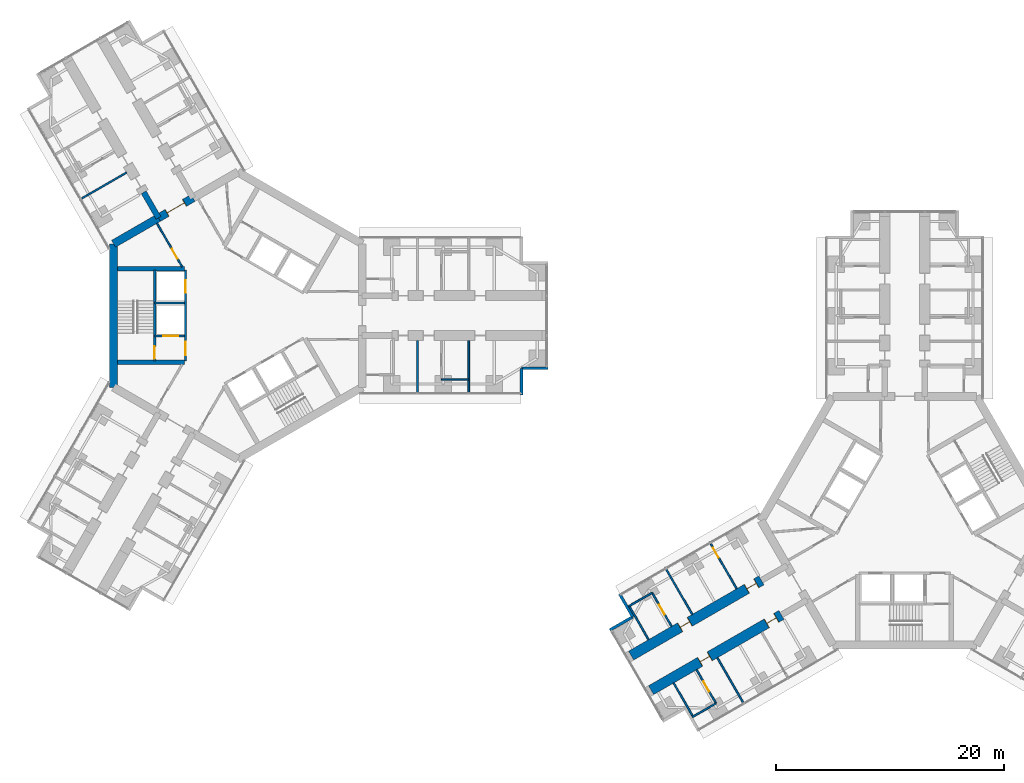
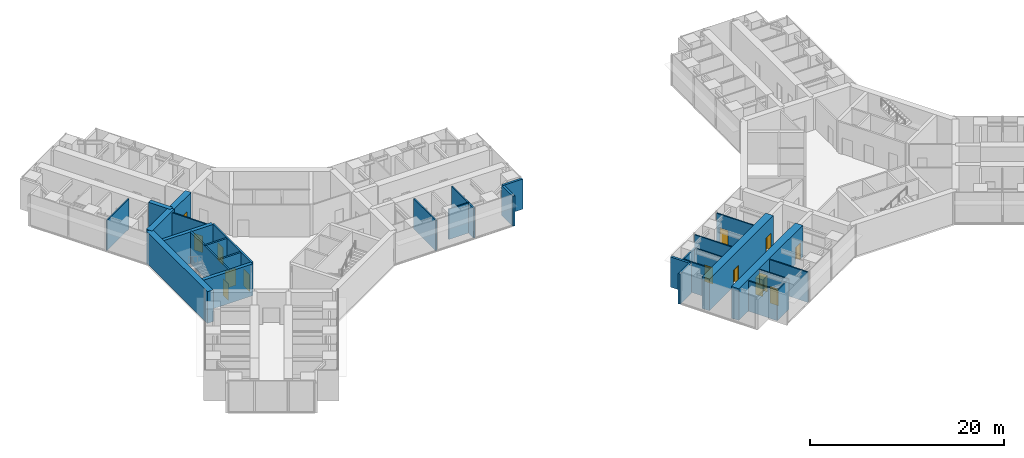
# One storey, part 17 of 24: 30 walls, 13 doors, 13 openings.
"""IFC4 building model written with IfcOpenShell, lengths in metres."""

from ifc_helpers import new_model, si_unit, direction, frame, frame_2d, origin, place, context, subcontext, project, spatial, rectangle, extrude, material, layer, layer_set, type_object, element, fill, save


model = new_model("IFC4")

# Units and contexts
model_context = context("Model", 3, precision=1e-05, world=origin(), true_north=direction((0.0, 1.0)))
body_context = subcontext(model_context, "Body", "Model", "MODEL_VIEW")
ifc_project = project(units=[si_unit("LENGTHUNIT", "METRE"), si_unit("AREAUNIT", "SQUARE_METRE"), si_unit("VOLUMEUNIT", "CUBIC_METRE"), si_unit("PLANEANGLEUNIT", "RADIAN"), si_unit("MASSUNIT", "GRAM", prefix="KILO")], contexts=[model_context])

# Site, building, storey
site_placement = place(None, origin())
site = spatial("IfcSite", under=ifc_project, at=site_placement, CompositionType="ELEMENT")
building_placement = place(site_placement, origin())
building = spatial("IfcBuilding", under=site, at=building_placement, Name="Upepo Twin Towers", CompositionType="ELEMENT")
storey_placement = place(building_placement, frame((0.0, 0.0, 68.5)))
storey = spatial("IfcBuildingStorey", under=building, at=storey_placement, Name="L16", CompositionType="ELEMENT", Elevation=68.5)

# Wall
ifc_material_1 = material(Name="Concrete C60/75", Category="concrete")
ifc_layer_1 = layer(ifc_material_1, 0.5)
ifc_layer_set_1 = layer_set([ifc_layer_1], Name="Concrete C60/75")
wall_type_1 = type_object("IfcWallType", Name="Buttress wall 500 RC", PredefinedType="SHEAR", material=ifc_layer_set_1)
wall_1_placement = place(storey_placement, frame((-6.9697265625, 8.57177734375, 0.0), z_axis=(0.0, 0.0, 1.0), x_axis=(-0.499988811324, 0.866031863473, 0.0)))
element("IfcWall", 1, at=wall_1_placement, inside=storey, type_object=wall_type_1, Name="T1 wing B buttress wall L", PredefinedType="SHEAR", context=body_context, shape_type="SweptSolid", body=[
    extrude(rectangle(XDim=2.591796875, YDim=0.5, at=frame_2d((1.2958984375, 0.0))), origin(), (0.0, 0.0, 1.0), 4.0),
])

# Wall, openings, doors
ifc_material_2 = material(Name="Concrete C60/75", Category="concrete")
ifc_layer_2 = layer(ifc_material_2, 0.89990234375)
ifc_layer_set_2 = layer_set([ifc_layer_2], Name="Concrete C60/75")
wall_type_2 = type_object("IfcWallType", Name="Buttress wall 900 RC", PredefinedType="SHEAR", material=ifc_layer_set_2)
wall_2_placement = place(storey_placement, frame((47.68359375, -26.265625, 0.0), z_axis=(0.0, 0.0, 1.0), x_axis=(-0.866027579429, -0.499996231654, 0.0)))
wall_2 = element("IfcWall", 2, at=wall_2_placement, inside=storey, type_object=wall_type_2, Name="T2 wing B buttress wall L part 2", PredefinedType="SHEAR", context=body_context, shape_type="SweptSolid", body=[
    extrude(rectangle(XDim=13.19970703125, YDim=0.89990234375, at=frame_2d((6.599853515625, 0.0))), origin(), (0.0, 0.0, 1.0), 4.0),
])
opening_1_placement = place(wall_2_placement, frame((0.5, 0.0, 0.0)))
opening_1 = element("IfcOpeningElement", 3, at=opening_1_placement, cuts=wall_2, Name="Opening D1", PredefinedType="OPENING", context=body_context, shape_type="SweptSolid", body=[
    extrude(rectangle(XDim=1.0, YDim=2.10009765625, at=frame_2d((0.5, 1.050048828125))), frame((0.0, 0.4599609375, 0.0), z_axis=(0.0, -1.0, 0.0), x_axis=(1.0, 0.0, 0.0)), (0.0, 0.0, 1.0), 0.919921875),
])
opening_2_placement = place(wall_2_placement, frame((7.25, 0.0, 0.0)))
opening_2 = element("IfcOpeningElement", 4, at=opening_2_placement, cuts=wall_2, Name="Opening D1", PredefinedType="OPENING", context=body_context, shape_type="SweptSolid", body=[
    extrude(rectangle(XDim=1.0, YDim=2.10009765625, at=frame_2d((0.5, 1.050048828125))), frame((0.0, 0.4599609375, 0.0), z_axis=(0.0, -1.0, 0.0), x_axis=(1.0, 0.0, 0.0)), (0.0, 0.0, 1.0), 0.919921875),
])
ifc_material_3 = material(Name="Timber doorset", Category="wood")
door_type_1 = type_object("IfcDoorType", Name="Room door 1000 FD30", OperationType="SINGLE_SWING_LEFT", PredefinedType="DOOR", material=ifc_material_3)
door_1_placement = place(opening_1_placement, origin())
door_1 = element("IfcDoor", 5, at=door_1_placement, inside=storey, type_object=door_type_1, Name="T2 L16 tutorial room door", OperationType="SINGLE_SWING_LEFT", OverallHeight=2.10009765625, OverallWidth=1.0, PredefinedType="DOOR", context=body_context, shape_type="SweptSolid", body=[
    extrude(rectangle(XDim=0.92, YDim=2.06009765625, at=frame_2d((0.5, 1.030029296875))), frame((0.0, 0.02490234375, 0.0), z_axis=(0.0, -1.0, 0.0), x_axis=(1.0, 0.0, 0.0)), (0.0, 0.0, 1.0), 0.050048828125),
    extrude(rectangle(XDim=0.04, YDim=2.10009765625, at=frame_2d((0.02001953125, 1.050048828125))), frame((0.0, 0.44970703125, 0.0), z_axis=(0.0, -1.0, 0.0), x_axis=(1.0, 0.0, 0.0)), (0.0, 0.0, 1.0), 0.8994140625),
    extrude(rectangle(XDim=0.04, YDim=2.10009765625, at=frame_2d((0.97998046875, 1.050048828125))), frame((0.0, 0.44970703125, 0.0), z_axis=(0.0, -1.0, 0.0), x_axis=(1.0, 0.0, 0.0)), (0.0, 0.0, 1.0), 0.8994140625),
    extrude(rectangle(XDim=0.92, YDim=0.04, at=frame_2d((0.5, 2.080078125))), frame((0.0, 0.44970703125, 0.0), z_axis=(0.0, -1.0, 0.0), x_axis=(1.0, 0.0, 0.0)), (0.0, 0.0, 1.0), 0.8994140625),
])
fill(opening_1, door_1)
door_2_placement = place(opening_2_placement, origin())
door_2 = element("IfcDoor", 6, at=door_2_placement, inside=storey, type_object=door_type_1, Name="T2 L16 seminar room door", OperationType="SINGLE_SWING_RIGHT", OverallHeight=2.10009765625, OverallWidth=1.0, PredefinedType="DOOR", context=body_context, shape_type="SweptSolid", body=[
    extrude(rectangle(XDim=0.92, YDim=2.06009765625, at=frame_2d((0.5, 1.030029296875))), frame((0.0, 0.02490234375, 0.0), z_axis=(0.0, -1.0, 0.0), x_axis=(1.0, 0.0, 0.0)), (0.0, 0.0, 1.0), 0.050048828125),
    extrude(rectangle(XDim=0.04, YDim=2.10009765625, at=frame_2d((0.02001953125, 1.050048828125))), frame((0.0, 0.44970703125, 0.0), z_axis=(0.0, -1.0, 0.0), x_axis=(1.0, 0.0, 0.0)), (0.0, 0.0, 1.0), 0.8994140625),
    extrude(rectangle(XDim=0.04, YDim=2.10009765625, at=frame_2d((0.97998046875, 1.050048828125))), frame((0.0, 0.44970703125, 0.0), z_axis=(0.0, -1.0, 0.0), x_axis=(1.0, 0.0, 0.0)), (0.0, 0.0, 1.0), 0.8994140625),
    extrude(rectangle(XDim=0.92, YDim=0.04, at=frame_2d((0.5, 2.080078125))), frame((0.0, 0.44970703125, 0.0), z_axis=(0.0, -1.0, 0.0), x_axis=(1.0, 0.0, 0.0)), (0.0, 0.0, 1.0), 0.8994140625),
])
fill(opening_2, door_2)

wall_3_placement = place(storey_placement, frame((45.93359375, -23.234375, 0.0), z_axis=(0.0, 0.0, 1.0), x_axis=(-0.866019570528, -0.500010103361, 0.0)))
wall_3 = element("IfcWall", 7, at=wall_3_placement, inside=storey, type_object=wall_type_2, Name="T2 wing B buttress wall R part 2", PredefinedType="SHEAR", context=body_context, shape_type="SweptSolid", body=[
    extrude(rectangle(XDim=13.199951171875, YDim=0.89990234375, at=frame_2d((6.60009765625, 0.0))), origin(), (0.0, 0.0, 1.0), 4.0),
])
opening_3_placement = place(wall_3_placement, frame((0.5, 0.0, 0.0)))
opening_3 = element("IfcOpeningElement", 8, at=opening_3_placement, cuts=wall_3, Name="Opening D1", PredefinedType="OPENING", context=body_context, shape_type="SweptSolid", body=[
    extrude(rectangle(XDim=1.0, YDim=2.10009765625, at=frame_2d((0.5, 1.050048828125))), frame((0.0, 0.4599609375, 0.0), z_axis=(0.0, -1.0, 0.0), x_axis=(1.0, 0.0, 0.0)), (0.0, 0.0, 1.0), 0.919921875),
])
opening_4_placement = place(wall_3_placement, frame((7.25, 0.0, 0.0)))
opening_4 = element("IfcOpeningElement", 9, at=opening_4_placement, cuts=wall_3, Name="Opening D1", PredefinedType="OPENING", context=body_context, shape_type="SweptSolid", body=[
    extrude(rectangle(XDim=1.0, YDim=2.10009765625, at=frame_2d((0.5, 1.050048828125))), frame((0.0, 0.4599609375, 0.0), z_axis=(0.0, -1.0, 0.0), x_axis=(1.0, 0.0, 0.0)), (0.0, 0.0, 1.0), 0.919921875),
])
door_3_placement = place(opening_3_placement, origin())
door_3 = element("IfcDoor", 10, at=door_3_placement, inside=storey, type_object=door_type_1, Name="T2 L16 tutorial room door", OperationType="SINGLE_SWING_LEFT", OverallHeight=2.10009765625, OverallWidth=1.0, PredefinedType="DOOR", context=body_context, shape_type="SweptSolid", body=[
    extrude(rectangle(XDim=0.92, YDim=2.06009765625, at=frame_2d((0.5, 1.030029296875))), frame((0.0, 0.02490234375, 0.0), z_axis=(0.0, -1.0, 0.0), x_axis=(1.0, 0.0, 0.0)), (0.0, 0.0, 1.0), 0.050048828125),
    extrude(rectangle(XDim=0.04, YDim=2.10009765625, at=frame_2d((0.02001953125, 1.050048828125))), frame((0.0, 0.44970703125, 0.0), z_axis=(0.0, -1.0, 0.0), x_axis=(1.0, 0.0, 0.0)), (0.0, 0.0, 1.0), 0.8994140625),
    extrude(rectangle(XDim=0.04, YDim=2.10009765625, at=frame_2d((0.97998046875, 1.050048828125))), frame((0.0, 0.44970703125, 0.0), z_axis=(0.0, -1.0, 0.0), x_axis=(1.0, 0.0, 0.0)), (0.0, 0.0, 1.0), 0.8994140625),
    extrude(rectangle(XDim=0.92, YDim=0.04, at=frame_2d((0.5, 2.080078125))), frame((0.0, 0.44970703125, 0.0), z_axis=(0.0, -1.0, 0.0), x_axis=(1.0, 0.0, 0.0)), (0.0, 0.0, 1.0), 0.8994140625),
])
fill(opening_3, door_3)
door_4_placement = place(opening_4_placement, origin())
door_4 = element("IfcDoor", 11, at=door_4_placement, inside=storey, type_object=door_type_1, Name="T2 L16 staff office door", OperationType="SINGLE_SWING_RIGHT", OverallHeight=2.10009765625, OverallWidth=1.0, PredefinedType="DOOR", context=body_context, shape_type="SweptSolid", body=[
    extrude(rectangle(XDim=0.92, YDim=2.06009765625, at=frame_2d((0.5, 1.030029296875))), frame((0.0, 0.02490234375, 0.0), z_axis=(0.0, -1.0, 0.0), x_axis=(1.0, 0.0, 0.0)), (0.0, 0.0, 1.0), 0.050048828125),
    extrude(rectangle(XDim=0.04, YDim=2.10009765625, at=frame_2d((0.02001953125, 1.050048828125))), frame((0.0, 0.44970703125, 0.0), z_axis=(0.0, -1.0, 0.0), x_axis=(1.0, 0.0, 0.0)), (0.0, 0.0, 1.0), 0.8994140625),
    extrude(rectangle(XDim=0.04, YDim=2.10009765625, at=frame_2d((0.97998046875, 1.050048828125))), frame((0.0, 0.44970703125, 0.0), z_axis=(0.0, -1.0, 0.0), x_axis=(1.0, 0.0, 0.0)), (0.0, 0.0, 1.0), 0.8994140625),
    extrude(rectangle(XDim=0.92, YDim=0.04, at=frame_2d((0.5, 2.080078125))), frame((0.0, 0.44970703125, 0.0), z_axis=(0.0, -1.0, 0.0), x_axis=(1.0, 0.0, 0.0)), (0.0, 0.0, 1.0), 0.8994140625),
])
fill(opening_4, door_4)

# Wall, opening, door
ifc_material_4 = material(Name="Concrete C60/75", Category="concrete")
ifc_layer_3 = layer(ifc_material_4, 0.699951171875)
ifc_layer_set_3 = layer_set([ifc_layer_3], Name="Concrete C60/75")
wall_type_3 = type_object("IfcWallType", Name="Core wall 700 RC", PredefinedType="SHEAR", material=ifc_layer_set_3)
wall_4_placement = place(storey_placement, frame((-3.938720703125, 10.32177734375, 0.0), z_axis=(0.0, 0.0, 1.0), x_axis=(-0.866019471182, -0.500010275428, 0.0)))
wall_4 = element("IfcWall", 12, at=wall_4_placement, inside=storey, type_object=wall_type_3, Name="T1 core wall 120", PredefinedType="SHEAR", context=body_context, shape_type="SweptSolid", body=[
    extrude(rectangle(XDim=3.5, YDim=0.699951171875, at=frame_2d((1.75, 0.0))), origin(), (0.0, 0.0, 1.0), 4.0),
])
opening_5_placement = place(wall_4_placement, frame((0.85009765625, 0.0, 0.0)))
opening_5 = element("IfcOpeningElement", 13, at=opening_5_placement, cuts=wall_4, Name="Opening D2", PredefinedType="OPENING", context=body_context, shape_type="SweptSolid", body=[
    extrude(rectangle(XDim=1.800048828125, YDim=2.10009765625, at=frame_2d((0.89990234375, 1.050048828125))), frame((0.0, 0.35986328125, 0.0), z_axis=(0.0, -1.0, 0.0), x_axis=(1.0, 0.0, 0.0)), (0.0, 0.0, 1.0), 0.719970703125),
])
ifc_material_5 = material(Name="Timber doorset", Category="wood")
door_type_2 = type_object("IfcDoorType", Name="Corridor double door 1800 FD60", OperationType="DOUBLE_DOOR_DOUBLE_SWING", PredefinedType="DOOR", material=ifc_material_5)
door_5_placement = place(opening_5_placement, origin())
door_5 = element("IfcDoor", 14, at=door_5_placement, inside=storey, type_object=door_type_2, Name="T1 L16 wing B corridor door", OperationType="DOUBLE_DOOR_DOUBLE_SWING", OverallHeight=2.10009765625, OverallWidth=1.800048828125, PredefinedType="DOOR", context=body_context, shape_type="SweptSolid", body=[
    extrude(rectangle(XDim=1.720048828125, YDim=2.06009765625, at=frame_2d((0.89990234375, 1.030029296875))), frame((0.0, 0.02490234375, 0.0), z_axis=(0.0, -1.0, 0.0), x_axis=(1.0, 0.0, 0.0)), (0.0, 0.0, 1.0), 0.050048828125),
    extrude(rectangle(XDim=0.04, YDim=2.10009765625, at=frame_2d((0.02001953125, 1.050048828125))), frame((0.0, 0.349609375, 0.0), z_axis=(0.0, -1.0, 0.0), x_axis=(1.0, 0.0, 0.0)), (0.0, 0.0, 1.0), 0.699462890625),
    extrude(rectangle(XDim=0.04, YDim=2.10009765625, at=frame_2d((1.780029296875, 1.050048828125))), frame((0.0, 0.349609375, 0.0), z_axis=(0.0, -1.0, 0.0), x_axis=(1.0, 0.0, 0.0)), (0.0, 0.0, 1.0), 0.699462890625),
    extrude(rectangle(XDim=1.720048828125, YDim=0.04, at=frame_2d((0.89990234375, 2.080078125))), frame((0.0, 0.349609375, 0.0), z_axis=(0.0, -1.0, 0.0), x_axis=(1.0, 0.0, 0.0)), (0.0, 0.0, 1.0), 0.699462890625),
])
fill(opening_5, door_5)

# Walls
wall_5_placement = place(storey_placement, frame((-6.9697265625, 8.57177734375, 0.0), z_axis=(0.0, 0.0, 1.0), x_axis=(-0.866034513004, -0.499984222037, 0.0)))
element("IfcWall", 15, at=wall_5_placement, inside=storey, type_object=wall_type_3, Name="T1 core wall 120 L", PredefinedType="SHEAR", context=body_context, shape_type="SweptSolid", body=[
    extrude(rectangle(XDim=4.548095703125, YDim=0.699951171875, at=frame_2d((2.27392578125, 0.0))), origin(), (0.0, 0.0, 1.0), 4.0),
])
wall_6_placement = place(storey_placement, frame((-10.908447265625, 6.2978515625, 0.0), z_axis=(0.0, 0.0, 1.0), x_axis=(0.0, -1.0, 0.0)))
element("IfcWall", 16, at=wall_6_placement, inside=storey, type_object=wall_type_3, Name="T1 core wall 180", PredefinedType="SHEAR", context=body_context, shape_type="SweptSolid", body=[
    extrude(rectangle(XDim=12.595703125, YDim=0.699951171875, at=frame_2d((6.2978515625, 0.0))), origin(), (0.0, 0.0, 1.0), 4.0),
])
ifc_material_6 = material(Name="Blockwork with anodised aluminium cladding", Category="masonry")
ifc_layer_4 = layer(ifc_material_6, 0.25)
ifc_layer_set_4 = layer_set([ifc_layer_4], Name="Notch cladding wall 250, pale metal")
wall_type_4 = type_object("IfcWallType", Name="Notch cladding wall 250, pale metal", PredefinedType="STANDARD", material=ifc_layer_set_4)
for number, where, z_axis, x_axis, name in (
    (17, (24.875, -6.949951171875, 0.0), (0.0, 0.0, 1.0), (0.0, 1.0, 0.0), "T1 L16 wing A notch wall R1"),
    (18, (24.875, -4.625, 0.0), (0.0, 0.0, 1.0), (1.0, 0.0, 0.0), "T1 L16 wing A notch wall R2"),
    (19, (33.482666015625, -24.418701171875, 0.0), (0.0, 0.0, 1.0), (0.499967891604, -0.866043940782, 0.0), "T2 L16 wing B notch wall R1"),
    (20, (34.64501953125, -26.43212890625, 0.0), (0.0, 0.0, 1.0), (-0.865998469481, -0.500046648681, 0.0), "T2 L16 wing B notch wall R2"),
):
    element("IfcWall", number, at=place(storey_placement, frame(where, z_axis=z_axis, x_axis=x_axis)), inside=storey, type_object=wall_type_4, Name=name, PredefinedType="STANDARD", context=body_context, shape_type="SweptSolid", body=[
        extrude(rectangle(XDim=2.324951171875, YDim=0.25, at=frame_2d((1.16259765625, 0.0))), origin(), (0.0, 0.0, 1.0), 3.800048828125),
    ])

# Wall, openings, doors
ifc_material_7 = material(Name="Concrete C40/50", Category="concrete")
ifc_layer_5 = layer(ifc_material_7, 0.199951171875)
ifc_layer_set_5 = layer_set([ifc_layer_5], Name="Concrete C40/50")
wall_type_5 = type_object("IfcWallType", Name="Shaft wall 200 RC", PredefinedType="SHEAR", material=ifc_layer_set_5)
wall_7_placement = place(storey_placement, frame((-4.60009765625, 4.0, 0.0), z_axis=(0.0, 0.0, 1.0), x_axis=(0.0, -1.0, 0.0)))
wall_7 = element("IfcWall", 21, at=wall_7_placement, inside=storey, type_object=wall_type_5, Name="T1 core W180 front wall", PredefinedType="SHEAR", context=body_context, shape_type="SweptSolid", body=[
    extrude(rectangle(XDim=8.0, YDim=0.199951171875, at=frame_2d((4.0, 0.0))), origin(), (0.0, 0.0, 1.0), 4.0),
])
opening_6_placement = place(wall_7_placement, frame((6.300048828125, 0.0, 0.0)))
opening_6 = element("IfcOpeningElement", 22, at=opening_6_placement, cuts=wall_7, Name="Opening D4", PredefinedType="OPENING", context=body_context, shape_type="SweptSolid", body=[
    extrude(rectangle(XDim=1.199951171875, YDim=2.10009765625, at=frame_2d((0.60009765625, 1.050048828125))), frame((0.0, 0.10986328125, 0.0), z_axis=(0.0, -1.0, 0.0), x_axis=(1.0, 0.0, 0.0)), (0.0, 0.0, 1.0), 0.219970703125),
])
opening_7_placement = place(wall_7_placement, frame((0.89990234375, 0.0, 0.0)))
opening_7 = element("IfcOpeningElement", 23, at=opening_7_placement, cuts=wall_7, Name="Opening LD1", PredefinedType="OPENING", context=body_context, shape_type="SweptSolid", body=[
    extrude(rectangle(XDim=1.10009765625, YDim=2.199951171875, at=frame_2d((0.550048828125, 1.10009765625))), frame((0.0, 0.10986328125, 0.0), z_axis=(0.0, -1.0, 0.0), x_axis=(1.0, 0.0, 0.0)), (0.0, 0.0, 1.0), 0.219970703125),
])
ifc_material_8 = material(Name="Steel doorset", Category="steel")
door_type_3 = type_object("IfcDoorType", Name="Lift landing door 1100", OperationType="DOUBLE_DOOR_SLIDING", PredefinedType="DOOR", material=ifc_material_8)
door_6_placement = place(opening_7_placement, origin())
door_6 = element("IfcDoor", 24, at=door_6_placement, inside=storey, type_object=door_type_3, Name="T1 L16 lift SV1 landing door", OperationType="DOUBLE_DOOR_SLIDING", OverallHeight=2.199951171875, OverallWidth=1.10009765625, PredefinedType="DOOR", context=body_context, shape_type="SweptSolid", body=[
    extrude(rectangle(XDim=1.10009765625, YDim=2.199951171875, at=frame_2d((0.550048828125, 1.10009765625))), frame((0.0, 0.02490234375, 0.0), z_axis=(0.0, -1.0, 0.0), x_axis=(1.0, 0.0, 0.0)), (0.0, 0.0, 1.0), 0.050048828125),
])
fill(opening_7, door_6)
ifc_material_9 = material(Name="Timber doorset", Category="wood")
door_type_4 = type_object("IfcDoorType", Name="Lobby door 1200 FD60", OperationType="SINGLE_SWING_LEFT", PredefinedType="DOOR", material=ifc_material_9)
door_7_placement = place(opening_6_placement, origin())
door_7 = element("IfcDoor", 25, at=door_7_placement, inside=storey, type_object=door_type_4, Name="T1 L16 W180 lobby door", OperationType="SINGLE_SWING_RIGHT", OverallHeight=2.10009765625, OverallWidth=1.199951171875, PredefinedType="DOOR", context=body_context, shape_type="SweptSolid", body=[
    extrude(rectangle(XDim=1.199951171875, YDim=2.10009765625, at=frame_2d((0.60009765625, 1.050048828125))), frame((0.0, 0.02490234375, 0.0), z_axis=(0.0, -1.0, 0.0), x_axis=(1.0, 0.0, 0.0)), (0.0, 0.0, 1.0), 0.050048828125),
])
fill(opening_6, door_7)

# Wall
wall_8_placement = place(storey_placement, frame((-4.699951171875, 1.10009765625, 0.0), z_axis=(0.0, 0.0, 1.0), x_axis=(-1.0, 0.0, 0.0)))
element("IfcWall", 26, at=wall_8_placement, inside=storey, type_object=wall_type_5, Name="T1 core W180 shaft divider", PredefinedType="SHEAR", context=body_context, shape_type="SweptSolid", body=[
    extrude(rectangle(XDim=2.60009765625, YDim=0.199951171875, at=frame_2d((1.300048828125, 0.0))), origin(), (0.0, 0.0, 1.0), 4.0),
])

# Wall, opening, door
wall_9_placement = place(storey_placement, frame((-4.699951171875, -1.800048828125, 0.0), z_axis=(0.0, 0.0, 1.0), x_axis=(-1.0, 0.0, 0.0)))
wall_9 = element("IfcWall", 27, at=wall_9_placement, inside=storey, type_object=wall_type_5, Name="T1 core W180 lobby wall", PredefinedType="SHEAR", context=body_context, shape_type="SweptSolid", body=[
    extrude(rectangle(XDim=2.60009765625, YDim=0.199951171875, at=frame_2d((1.300048828125, 0.0))), origin(), (0.0, 0.0, 1.0), 4.0),
])
opening_8_placement = place(wall_9_placement, frame((0.550048828125, 0.0, 0.0)))
opening_8 = element("IfcOpeningElement", 28, at=opening_8_placement, cuts=wall_9, Name="Opening LD2", PredefinedType="OPENING", context=body_context, shape_type="SweptSolid", body=[
    extrude(rectangle(XDim=1.300048828125, YDim=2.199951171875, at=frame_2d((0.64990234375, 1.10009765625))), frame((0.0, 0.10986328125, 0.0), z_axis=(0.0, -1.0, 0.0), x_axis=(1.0, 0.0, 0.0)), (0.0, 0.0, 1.0), 0.219970703125),
])
ifc_material_10 = material(Name="Steel doorset", Category="steel")
door_type_5 = type_object("IfcDoorType", Name="Firefighting lift landing door 1300", OperationType="DOUBLE_DOOR_SLIDING", PredefinedType="DOOR", material=ifc_material_10)
door_8_placement = place(opening_8_placement, origin())
door_8 = element("IfcDoor", 29, at=door_8_placement, inside=storey, type_object=door_type_5, Name="T1 L16 firefighting lift landing door", OperationType="DOUBLE_DOOR_SLIDING", OverallHeight=2.199951171875, OverallWidth=1.300048828125, PredefinedType="DOOR", context=body_context, shape_type="SweptSolid", body=[
    extrude(rectangle(XDim=1.300048828125, YDim=2.199951171875, at=frame_2d((0.64990234375, 1.10009765625))), frame((0.0, 0.02490234375, 0.0), z_axis=(0.0, -1.0, 0.0), x_axis=(1.0, 0.0, 0.0)), (0.0, 0.0, 1.0), 0.050048828125),
])
fill(opening_8, door_8)

wall_10_placement = place(storey_placement, frame((-7.300048828125, 4.0, 0.0), z_axis=(0.0, 0.0, 1.0), x_axis=(0.0, -1.0, 0.0)))
wall_10 = element("IfcWall", 30, at=wall_10_placement, inside=storey, type_object=wall_type_5, Name="T1 core W180 stair wall", PredefinedType="SHEAR", context=body_context, shape_type="SweptSolid", body=[
    extrude(rectangle(XDim=8.0, YDim=0.199951171875, at=frame_2d((4.0, 0.0))), origin(), (0.0, 0.0, 1.0), 4.0),
])
opening_9_placement = place(wall_10_placement, frame((6.699951171875, 0.0, 0.0)))
opening_9 = element("IfcOpeningElement", 31, at=opening_9_placement, cuts=wall_10, Name="Opening D3", PredefinedType="OPENING", context=body_context, shape_type="SweptSolid", body=[
    extrude(rectangle(XDim=1.10009765625, YDim=2.10009765625, at=frame_2d((0.550048828125, 1.050048828125))), frame((0.0, 0.10986328125, 0.0), z_axis=(0.0, -1.0, 0.0), x_axis=(1.0, 0.0, 0.0)), (0.0, 0.0, 1.0), 0.219970703125),
])
ifc_material_11 = material(Name="Timber doorset", Category="wood")
door_type_6 = type_object("IfcDoorType", Name="Stair door 1100 FD60", OperationType="SINGLE_SWING_LEFT", PredefinedType="DOOR", material=ifc_material_11)
door_9_placement = place(opening_9_placement, origin())
door_9 = element("IfcDoor", 32, at=door_9_placement, inside=storey, type_object=door_type_6, Name="T1 L16 stair door", OperationType="SINGLE_SWING_RIGHT", OverallHeight=2.10009765625, OverallWidth=1.10009765625, PredefinedType="DOOR", context=body_context, shape_type="SweptSolid", body=[
    extrude(rectangle(XDim=1.10009765625, YDim=2.10009765625, at=frame_2d((0.550048828125, 1.050048828125))), frame((0.0, 0.02490234375, 0.0), z_axis=(0.0, -1.0, 0.0), x_axis=(1.0, 0.0, 0.0)), (0.0, 0.0, 1.0), 0.050048828125),
])
fill(opening_9, door_9)

# Walls
ifc_material_12 = material(Name="Concrete C40/50", Category="concrete")
ifc_layer_6 = layer(ifc_material_12, 0.39990234375)
ifc_layer_set_6 = layer_set([ifc_layer_6], Name="Concrete C40/50")
wall_type_6 = type_object("IfcWallType", Name="Shaft wall 400 RC", PredefinedType="SHEAR", material=ifc_layer_set_6)
for number, where, z_axis, x_axis, name in (
    (33, (-4.699951171875, -4.10009765625, 0.0), (0.0, 0.0, 1.0), (-1.0, 0.0, 0.0), "T1 core W180 side wall N"),
    (34, (-4.699951171875, 4.10009765625, 0.0), (0.0, 0.0, 1.0), (-1.0, 0.0, 0.0), "T1 core W180 side wall S"),
):
    element("IfcWall", number, at=place(storey_placement, frame(where, z_axis=z_axis, x_axis=x_axis)), inside=storey, type_object=wall_type_6, Name=name, PredefinedType="SHEAR", context=body_context, shape_type="SweptSolid", body=[
        extrude(rectangle(XDim=5.8583984375, YDim=0.39990234375, at=frame_2d((2.92919921875, 0.0))), origin(), (0.0, 0.0, 1.0), 4.0),
    ])
ifc_material_13 = material(Name="Gypsum board on steel studs", Category="steel")
ifc_layer_7 = layer(ifc_material_13, 0.14990234375)
ifc_layer_set_7 = layer_set([ifc_layer_7], Name="Teaching partition 150 acoustic")
wall_type_7 = type_object("IfcWallType", Name="Teaching partition 150 acoustic", PredefinedType="PARTITIONING", material=ifc_layer_set_7)
for number, where, z_axis, x_axis, name in (
    (35, (15.75, -2.199951171875, 0.0), (0.0, 0.0, 1.0), (0.0, -1.0, 0.0), "T1 partition AR at 15.75"),
    (36, (20.25, -2.199951171875, 0.0), (0.0, 0.0, 1.0), (0.0, -1.0, 0.0), "T1 partition AR at 20.25"),
):
    element("IfcWall", number, at=place(storey_placement, frame(where, z_axis=z_axis, x_axis=x_axis)), inside=storey, type_object=wall_type_7, Name=name, PredefinedType="PARTITIONING", context=body_context, shape_type="SweptSolid", body=[
        extrude(rectangle(XDim=4.550048828125, YDim=0.14990234375, at=frame_2d((2.27490234375, 0.0))), origin(), (0.0, 0.0, 1.0), 3.800048828125),
    ])
wall_11_placement = place(storey_placement, frame((17.85009765625, -5.60009765625, 0.0), z_axis=(0.0, 0.0, 1.0), x_axis=(1.0, 0.0, 0.0)))
element("IfcWall", 37, at=wall_11_placement, inside=storey, type_object=wall_type_7, Name="T1 inner room partition AR at 17.85", PredefinedType="PARTITIONING", context=body_context, shape_type="SweptSolid", body=[
    extrude(rectangle(XDim=2.39990234375, YDim=0.14990234375, at=frame_2d((1.199951171875, 0.0))), origin(), (0.0, 0.0, 1.0), 3.800048828125),
])
wall_12_placement = place(storey_placement, frame((-9.7802734375, 12.539794921875, 0.0), z_axis=(0.0, 0.0, 1.0), x_axis=(-0.866035472144, -0.499982560684, 0.0)))
element("IfcWall", 38, at=wall_12_placement, inside=storey, type_object=wall_type_7, Name="T1 partition BL at 15.75", PredefinedType="PARTITIONING", context=body_context, shape_type="SweptSolid", body=[
    extrude(rectangle(XDim=4.550048828125, YDim=0.14990234375, at=frame_2d((2.27490234375, 0.0))), origin(), (0.0, 0.0, 1.0), 3.800048828125),
])

# Wall, opening, door
wall_13_placement = place(storey_placement, frame((-4.889892578125, 4.269775390625, 0.0), z_axis=(0.0, 0.0, 1.0), x_axis=(-0.500007369519, 0.866021148949, 0.0)))
wall_13 = element("IfcWall", 39, at=wall_13_placement, inside=storey, type_object=wall_type_7, Name="T1 core room partition 3", PredefinedType="PARTITIONING", context=body_context, shape_type="SweptSolid", body=[
    extrude(rectangle(XDim=4.42578125, YDim=0.14990234375, at=frame_2d((2.212890625, 0.0))), origin(), (0.0, 0.0, 1.0), 3.800048828125),
])
opening_10_placement = place(wall_13_placement, frame((0.82763671875, 0.0, 0.0)))
opening_10 = element("IfcOpeningElement", 40, at=opening_10_placement, cuts=wall_13, Name="Opening D1", PredefinedType="OPENING", context=body_context, shape_type="SweptSolid", body=[
    extrude(rectangle(XDim=1.0, YDim=2.10009765625, at=frame_2d((0.5, 1.050048828125))), frame((0.0, 0.0849609375, 0.0), z_axis=(0.0, -1.0, 0.0), x_axis=(1.0, 0.0, 0.0)), (0.0, 0.0, 1.0), 0.169921875),
])
door_10_placement = place(opening_10_placement, origin())
door_10 = element("IfcDoor", 41, at=door_10_placement, inside=storey, type_object=door_type_1, Name="T1 L16 core room door K7", OperationType="SINGLE_SWING_LEFT", OverallHeight=2.10009765625, OverallWidth=1.0, PredefinedType="DOOR", context=body_context, shape_type="SweptSolid", body=[
    extrude(rectangle(XDim=1.0, YDim=2.10009765625, at=frame_2d((0.5, 1.050048828125))), frame((0.0, 0.02490234375, 0.0), z_axis=(0.0, -1.0, 0.0), x_axis=(1.0, 0.0, 0.0)), (0.0, 0.0, 1.0), 0.050048828125),
])
fill(opening_10, door_10)

# Walls
wall_14_placement = place(storey_placement, frame((42.06298828125, -30.0302734375, 0.0), z_axis=(0.0, 0.0, 1.0), x_axis=(0.499982560684, -0.866035472144, 0.0)))
element("IfcWall", 42, at=wall_14_placement, inside=storey, type_object=wall_type_7, Name="T2 partition BL at 20.25", PredefinedType="PARTITIONING", context=body_context, shape_type="SweptSolid", body=[
    extrude(rectangle(XDim=4.550048828125, YDim=0.14990234375, at=frame_2d((2.27490234375, 0.0))), origin(), (0.0, 0.0, 1.0), 3.800048828125),
])
wall_15_placement = place(storey_placement, frame((41.9443359375, -34.024658203125, 0.0), z_axis=(0.0, 0.0, 1.0), x_axis=(-0.865980596518, -0.500077600433, 0.0)))
element("IfcWall", 43, at=wall_15_placement, inside=storey, type_object=wall_type_7, Name="T2 inner room partition BL at 22.35", PredefinedType="PARTITIONING", context=body_context, shape_type="SweptSolid", body=[
    extrude(rectangle(XDim=2.39990234375, YDim=0.14990234375, at=frame_2d((1.199951171875, 0.0))), origin(), (0.0, 0.0, 1.0), 3.800048828125),
])

# Wall, opening, door
wall_16_placement = place(storey_placement, frame((40.244384765625, -31.080322265625, 0.0), z_axis=(0.0, 0.0, 1.0), x_axis=(0.500008388397, -0.866020560687, 0.0)))
wall_16 = element("IfcWall", 44, at=wall_16_placement, inside=storey, type_object=wall_type_7, Name="T2 inner room partition BL end at 22.35", PredefinedType="PARTITIONING", context=body_context, shape_type="SweptSolid", body=[
    extrude(rectangle(XDim=3.39990234375, YDim=0.14990234375, at=frame_2d((1.699951171875, 0.0))), origin(), (0.0, 0.0, 1.0), 3.800048828125),
])
opening_11_placement = place(wall_16_placement, frame((1.199951171875, 0.0, 0.0)))
opening_11 = element("IfcOpeningElement", 45, at=opening_11_placement, cuts=wall_16, Name="Opening D1", PredefinedType="OPENING", context=body_context, shape_type="SweptSolid", body=[
    extrude(rectangle(XDim=1.0, YDim=2.10009765625, at=frame_2d((0.5, 1.050048828125))), frame((0.0, 0.0849609375, 0.0), z_axis=(0.0, -1.0, 0.0), x_axis=(1.0, 0.0, 0.0)), (0.0, 0.0, 1.0), 0.169921875),
])
door_11_placement = place(opening_11_placement, origin())
door_11 = element("IfcDoor", 46, at=door_11_placement, inside=storey, type_object=door_type_1, Name="T2 L16 inner room door", OperationType="SINGLE_SWING_LEFT", OverallHeight=2.10009765625, OverallWidth=1.0, PredefinedType="DOOR", context=body_context, shape_type="SweptSolid", body=[
    extrude(rectangle(XDim=1.0, YDim=2.10009765625, at=frame_2d((0.5, 1.050048828125))), frame((0.0, 0.02490234375, 0.0), z_axis=(0.0, -1.0, 0.0), x_axis=(1.0, 0.0, 0.0)), (0.0, 0.0, 1.0), 0.050048828125),
])
fill(opening_11, door_11)

# Wall
wall_17_placement = place(storey_placement, frame((38.230712890625, -32.24267578125, 0.0), z_axis=(0.0, 0.0, 1.0), x_axis=(0.500031147688, -0.866007419912, 0.0)))
element("IfcWall", 47, at=wall_17_placement, inside=storey, type_object=wall_type_7, Name="T2 inner room partition BL end at 24.75", PredefinedType="PARTITIONING", context=body_context, shape_type="SweptSolid", body=[
    extrude(rectangle(XDim=3.400146484375, YDim=0.14990234375, at=frame_2d((1.7001953125, 0.0))), origin(), (0.0, 0.0, 1.0), 3.800048828125),
])

# Wall, opening, door
wall_18_placement = place(storey_placement, frame((43.760009765625, -23.9697265625, 0.0), z_axis=(0.0, 0.0, 1.0), x_axis=(-0.499982560684, 0.866035472144, 0.0)))
wall_18 = element("IfcWall", 48, at=wall_18_placement, inside=storey, type_object=wall_type_7, Name="T2 partition BR at 15.75", PredefinedType="PARTITIONING", context=body_context, shape_type="SweptSolid", body=[
    extrude(rectangle(XDim=4.550048828125, YDim=0.14990234375, at=frame_2d((2.27490234375, 0.0))), origin(), (0.0, 0.0, 1.0), 3.800048828125),
])
opening_12_placement = place(wall_18_placement, frame((3.14990234375, 0.0, 0.0)))
opening_12 = element("IfcOpeningElement", 49, at=opening_12_placement, cuts=wall_18, Name="Opening D1", PredefinedType="OPENING", context=body_context, shape_type="SweptSolid", body=[
    extrude(rectangle(XDim=1.0, YDim=2.10009765625, at=frame_2d((0.5, 1.050048828125))), frame((0.0, 0.0849609375, 0.0), z_axis=(0.0, -1.0, 0.0), x_axis=(1.0, 0.0, 0.0)), (0.0, 0.0, 1.0), 0.169921875),
])
door_12_placement = place(opening_12_placement, origin())
door_12 = element("IfcDoor", 50, at=door_12_placement, inside=storey, type_object=door_type_1, Name="T2 L16 connecting door", OperationType="SINGLE_SWING_RIGHT", OverallHeight=2.10009765625, OverallWidth=1.0, PredefinedType="DOOR", context=body_context, shape_type="SweptSolid", body=[
    extrude(rectangle(XDim=1.0, YDim=2.10009765625, at=frame_2d((0.5, 1.050048828125))), frame((0.0, 0.02490234375, 0.0), z_axis=(0.0, -1.0, 0.0), x_axis=(1.0, 0.0, 0.0)), (0.0, 0.0, 1.0), 0.050048828125),
])
fill(opening_12, door_12)

# Walls
wall_19_placement = place(storey_placement, frame((39.863037109375, -26.2197265625, 0.0), z_axis=(0.0, 0.0, 1.0), x_axis=(-0.500022803284, 0.866012237902, 0.0)))
element("IfcWall", 51, at=wall_19_placement, inside=storey, type_object=wall_type_7, Name="T2 partition BR at 20.25", PredefinedType="PARTITIONING", context=body_context, shape_type="SweptSolid", body=[
    extrude(rectangle(XDim=4.550048828125, YDim=0.14990234375, at=frame_2d((2.27490234375, 0.0))), origin(), (0.0, 0.0, 1.0), 3.800048828125),
])
wall_20_placement = place(storey_placement, frame((36.34423828125, -24.3251953125, 0.0), z_axis=(0.0, 0.0, 1.0), x_axis=(-0.866024647952, -0.500001309137, 0.0)))
element("IfcWall", 52, at=wall_20_placement, inside=storey, type_object=wall_type_7, Name="T2 inner room partition BR at 22.35", PredefinedType="PARTITIONING", context=body_context, shape_type="SweptSolid", body=[
    extrude(rectangle(XDim=2.39990234375, YDim=0.14990234375, at=frame_2d((1.199951171875, 0.0))), origin(), (0.0, 0.0, 1.0), 3.800048828125),
])

# Wall, opening, door
wall_21_placement = place(storey_placement, frame((38.04443359375, -27.269775390625, 0.0), z_axis=(0.0, 0.0, 1.0), x_axis=(-0.500031147688, 0.866007419912, 0.0)))
wall_21 = element("IfcWall", 53, at=wall_21_placement, inside=storey, type_object=wall_type_7, Name="T2 inner room partition BR end at 22.35", PredefinedType="PARTITIONING", context=body_context, shape_type="SweptSolid", body=[
    extrude(rectangle(XDim=3.400146484375, YDim=0.14990234375, at=frame_2d((1.7001953125, 0.0))), origin(), (0.0, 0.0, 1.0), 3.800048828125),
])
opening_13_placement = place(wall_21_placement, frame((1.199951171875, 0.0, 0.0)))
opening_13 = element("IfcOpeningElement", 54, at=opening_13_placement, cuts=wall_21, Name="Opening D1", PredefinedType="OPENING", context=body_context, shape_type="SweptSolid", body=[
    extrude(rectangle(XDim=1.0, YDim=2.10009765625, at=frame_2d((0.5, 1.050048828125))), frame((0.0, 0.0849609375, 0.0), z_axis=(0.0, -1.0, 0.0), x_axis=(1.0, 0.0, 0.0)), (0.0, 0.0, 1.0), 0.169921875),
])
door_13_placement = place(opening_13_placement, origin())
door_13 = element("IfcDoor", 55, at=door_13_placement, inside=storey, type_object=door_type_1, Name="T2 L16 inner room door", OperationType="SINGLE_SWING_LEFT", OverallHeight=2.10009765625, OverallWidth=1.0, PredefinedType="DOOR", context=body_context, shape_type="SweptSolid", body=[
    extrude(rectangle(XDim=1.0, YDim=2.10009765625, at=frame_2d((0.5, 1.050048828125))), frame((0.0, 0.02490234375, 0.0), z_axis=(0.0, -1.0, 0.0), x_axis=(1.0, 0.0, 0.0)), (0.0, 0.0, 1.0), 0.050048828125),
])
fill(opening_13, door_13)

# Wall
wall_22_placement = place(storey_placement, frame((36.03076171875, -28.43212890625, 0.0), z_axis=(0.0, 0.0, 1.0), x_axis=(-0.500008388397, 0.866020560687, 0.0)))
element("IfcWall", 56, at=wall_22_placement, inside=storey, type_object=wall_type_7, Name="T2 inner room partition BR end at 24.75", PredefinedType="PARTITIONING", context=body_context, shape_type="SweptSolid", body=[
    extrude(rectangle(XDim=3.39990234375, YDim=0.14990234375, at=frame_2d((1.699951171875, 0.0))), origin(), (0.0, 0.0, 1.0), 3.800048828125),
])

save(model, "model.ifc")
